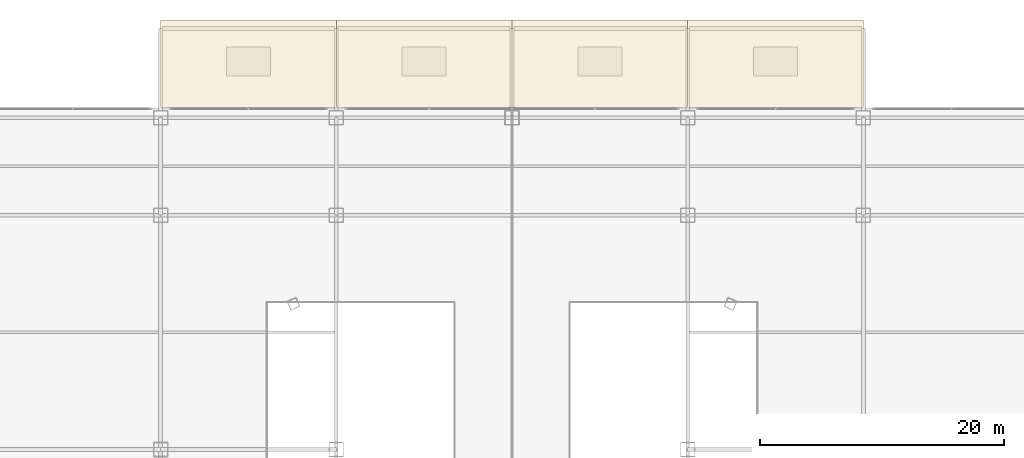
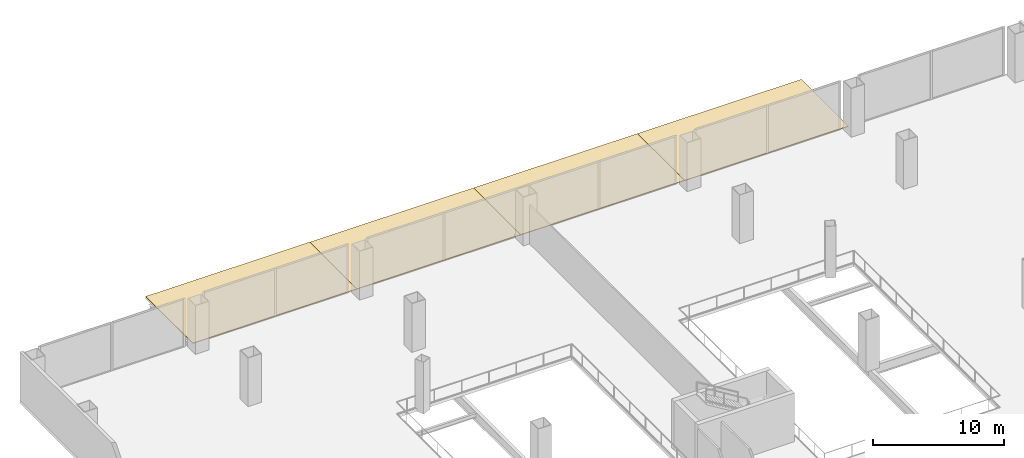
# One storey, part 42 of 42: 4 coverings.
"""IFC4 building model written with IfcOpenShell, lengths in metres."""

import ifcopenshell
import ifcopenshell.guid

model = None  # the IFC model being written
_history = None  # IfcOwnerHistory: only IFC2X3 demands one
_inside = {}  # id of a spatial element -> (the spatial element, [elements in it])
_under = {}  # id of a project, library or spatial element -> (it, [spatial elements below it])
_declared = {}  # id of a project -> (the project, [libraries it declares])
_typed = {}  # id of a type object -> (the type object, [elements of that type])
_made_of = {}  # id of a material, layer set ... -> (it, [elements and type objects made of it])


def new_model(schema):
    """Start an empty IFC model of exactly this schema.

    Asked for "IFC4X3", IfcOpenShell would pick the latest addendum, in which some entities
    have other attributes; the version numbers below select the first issue.
    IFC2X3 requires an IfcOwnerHistory on every rooted entity: one is made here for all.
    """
    global model, _history
    if schema == "IFC4X3":
        model = ifcopenshell.file(schema_version=(4, 3, 0, 0))
    else:
        model = ifcopenshell.file(schema=schema)
    _inside.clear()
    _under.clear()
    _declared.clear()
    _typed.clear()
    _made_of.clear()
    _history = None
    if model.schema == "IFC2X3":
        org = make("IfcOrganization", Name="unknown")
        user = make(
            "IfcPersonAndOrganization",
            ThePerson=make("IfcPerson", FamilyName="unknown"),
            TheOrganization=org,
        )
        app = make(
            "IfcApplication",
            ApplicationDeveloper=org,
            Version="unknown",
            ApplicationFullName="unknown",
            ApplicationIdentifier="unknown",
        )
        _history = make(
            "IfcOwnerHistory",
            OwningUser=user,
            OwningApplication=app,
            ChangeAction="ADDED",
            CreationDate=0,
        )
    return model


def make(cls, **values):
    """One entity of the class cls with the attributes given. An attribute that is None is left unset."""
    return model.create_entity(
        cls, **{name: value for name, value in values.items() if value is not None}
    )


def rooted(cls, **values):
    """An entity with a GlobalId (a new one), such as an element, a storey or a relation."""
    return make(cls, GlobalId=ifcopenshell.guid.new(), OwnerHistory=_history, **values)


def si_unit(unit_type, name, prefix=None):
    """IfcSIUnit, for example si_unit("LENGTHUNIT", "METRE", prefix="MILLI")."""
    return make("IfcSIUnit", UnitType=unit_type, Prefix=prefix, Name=name)


def assignment(units):
    """IfcUnitAssignment: the units of a project."""
    return None if units is None else make("IfcUnitAssignment", Units=units)


def point(xyz):
    """IfcCartesianPoint."""
    return None if xyz is None else make("IfcCartesianPoint", Coordinates=xyz)


def direction(xyz):
    """IfcDirection."""
    return None if xyz is None else make("IfcDirection", DirectionRatios=xyz)


def frame(location, z_axis=None, x_axis=None):
    """IfcAxis2Placement3D, a coordinate frame: its origin and axes. An axis left out is left unset."""
    return make(
        "IfcAxis2Placement3D",
        Location=point(location),
        Axis=direction(z_axis),
        RefDirection=direction(x_axis),
    )


def origin():
    """The frame at (0, 0, 0) with its axes left unset."""
    return frame((0.0, 0.0, 0.0))


def place(relative_to, where):
    """IfcLocalPlacement: puts the frame where relative to a parent placement (None: the world)."""
    return make(
        "IfcLocalPlacement", PlacementRelTo=relative_to, RelativePlacement=where
    )


def context(
    kind, dimensions, precision=None, world=None, true_north=None, identifier=None
):
    """IfcGeometricRepresentationContext, for example the 3D "Model" context."""
    return make(
        "IfcGeometricRepresentationContext",
        ContextIdentifier=identifier,
        ContextType=kind,
        CoordinateSpaceDimension=dimensions,
        Precision=precision,
        WorldCoordinateSystem=world,
        TrueNorth=true_north,
    )


def subcontext(parent, identifier, kind, view, scale=None):
    """IfcGeometricRepresentationSubContext, for example "Body" below "Model"."""
    return make(
        "IfcGeometricRepresentationSubContext",
        ContextIdentifier=identifier,
        ContextType=kind,
        ParentContext=parent,
        TargetScale=scale,
        TargetView=view,
    )


def project(units=None, contexts=None):
    """IfcProject with its units and contexts."""
    return rooted(
        "IfcProject",
        Name="project",
        RepresentationContexts=contexts,
        UnitsInContext=assignment(units),
    )


def spatial(cls, under=None, at=None, **own):
    """A site, building, storey or space (cls), placed at a placement, below another one or the project."""
    s = rooted(cls, ObjectPlacement=at, **own)
    if under is not None:
        _under.setdefault(under.id(), (under, []))[1].append(s)
    return s


def polyline(points):
    """IfcPolyline through the points."""
    return make("IfcPolyline", Points=[point(p) for p in points])


def outline(outer, holes=None, kind="AREA"):
    """IfcArbitraryClosedProfileDef: a profile drawn as a closed curve; with holes, ...WithVoids."""
    if holes is None:
        return make("IfcArbitraryClosedProfileDef", ProfileType=kind, OuterCurve=outer)
    return make(
        "IfcArbitraryProfileDefWithVoids",
        ProfileType=kind,
        OuterCurve=outer,
        InnerCurves=holes,
    )


def extrude(swept, where, along, depth):
    """IfcExtrudedAreaSolid: the profile swept, set in the frame where, extruded along a direction by depth."""
    return make(
        "IfcExtrudedAreaSolid",
        SweptArea=swept,
        Position=where,
        ExtrudedDirection=direction(along),
        Depth=depth,
    )


def shape(context_of_items, identifier, shape_type, items):
    """IfcShapeRepresentation: the items that make up one representation, for example the "Body"."""
    return make(
        "IfcShapeRepresentation",
        ContextOfItems=context_of_items,
        RepresentationIdentifier=identifier,
        RepresentationType=shape_type,
        Items=items,
    )


def material(Name=None, Category=None):
    """IfcMaterial."""
    return make("IfcMaterial", Name=Name, Category=Category)


def layer(
    of_material, thickness, ventilated=None, Name=None, Category=None, Priority=None
):
    """IfcMaterialLayer: one layer of a wall or slab, of a material (None: an air gap)."""
    return make(
        "IfcMaterialLayer",
        Material=of_material,
        LayerThickness=thickness,
        IsVentilated=ventilated,
        Name=Name,
        Category=Category,
        Priority=Priority,
    )


def layer_set(layers, Name=None):
    """IfcMaterialLayerSet."""
    return make("IfcMaterialLayerSet", MaterialLayers=layers, LayerSetName=Name)


def made_of(thing, what):
    """Note that an element or type object is made of a material, layer set ...; save() writes the relation."""
    if what is not None:
        _made_of.setdefault(what.id(), (what, []))[1].append(thing)
    return thing


def type_object(cls, material=None, **own):
    """A type object (cls), such as IfcWallType, which elements share."""
    return made_of(rooted(cls, **own), material)


def element(
    cls,
    number,
    at=None,
    inside=None,
    cuts=None,
    type_object=None,
    material=None,
    context=None,
    identifier="Body",
    shape_type=None,
    held_by="IfcProductDefinitionShape",
    body=None,
    shapes=None,
    **own,
):
    """One element of the class cls, such as IfcWall. Its Tag is "e" and its number.

    at: its placement. inside: the storey or other place that contains it. cuts: it is an
    opening in that element (IfcRelVoidsElement). A single representation is given by context,
    identifier, shape_type and body (its items); several are given by shapes. held_by: the class
    of the entity that holds the representations. save() writes the other relations.
    """
    e = rooted(cls, Tag="e%d" % number, ObjectPlacement=at, **own)
    if body is not None:
        shapes = [shape(context, identifier, shape_type, body)]
    if shapes is not None:
        e.Representation = make(held_by, Representations=shapes)
    if inside is not None:
        _inside.setdefault(inside.id(), (inside, []))[1].append(e)
    if cuts is not None:
        rooted(
            "IfcRelVoidsElement", RelatingBuildingElement=cuts, RelatedOpeningElement=e
        )
    if type_object is not None:
        _typed.setdefault(type_object.id(), (type_object, []))[1].append(e)
    return made_of(e, material)


def aggregate(whole, parts):
    """IfcRelAggregates: a whole, such as a stair, and the parts it consists of."""
    return rooted("IfcRelAggregates", RelatingObject=whole, RelatedObjects=parts)


def save(model, path):
    """Write the relations noted so far, then the file.

    IfcRelAggregates (storeys below a building ...), IfcRelContainedInSpatialStructure (elements
    in a storey), IfcRelDefinesByType, IfcRelAssociatesMaterial and IfcRelDeclares: one each for
    every whole, place, type object, material and project.
    """
    for whole, parts in _under.values():
        aggregate(whole, parts)
    for where, things in _inside.values():
        rooted(
            "IfcRelContainedInSpatialStructure",
            RelatedElements=things,
            RelatingStructure=where,
        )
    for kind, things in _typed.values():
        rooted("IfcRelDefinesByType", RelatedObjects=things, RelatingType=kind)
    for what, things in _made_of.values():
        rooted("IfcRelAssociatesMaterial", RelatedObjects=things, RelatingMaterial=what)
    for by, libraries in _declared.values():
        rooted("IfcRelDeclares", RelatingContext=by, RelatedDefinitions=libraries)
    model.write(path)


model = new_model("IFC4")

# Units and contexts
model_context = context("Model", 3, precision=1e-05, world=origin(), true_north=direction((0.0, 1.0)))
body_context = subcontext(model_context, "Body", "Model", "MODEL_VIEW")
ifc_project = project(units=[si_unit("LENGTHUNIT", "METRE"), si_unit("AREAUNIT", "SQUARE_METRE"), si_unit("VOLUMEUNIT", "CUBIC_METRE"), si_unit("PLANEANGLEUNIT", "RADIAN"), si_unit("MASSUNIT", "GRAM", prefix="KILO"), si_unit("THERMODYNAMICTEMPERATUREUNIT", "KELVIN"), si_unit("POWERUNIT", "WATT")], contexts=[model_context])

# Site, building, storey
site_placement = place(None, origin())
site = spatial("IfcSite", under=ifc_project, at=site_placement, CompositionType="ELEMENT")
building_placement = place(site_placement, origin())
building = spatial("IfcBuilding", under=site, at=building_placement, Name="Yunzhuo Pagoda Commons", CompositionType="ELEMENT")
storey_placement = place(building_placement, frame((0.0, 0.0, 4.800048828125)))
storey = spatial("IfcBuildingStorey", under=building, at=storey_placement, Name="L02", CompositionType="ELEMENT", Elevation=4.800048828125)

# Coverings
ifc_material = material(Name="SBS modified bitumen roofing membrane")
ifc_layer = layer(ifc_material, 0.050048828125)
ifc_layer_set = layer_set([ifc_layer], Name="SBS modified bitumen roofing membrane")
covering_type = type_object("IfcCoveringType", Name="COV-RF1 Waterproof SBS Bitumen Roof Membrane", PredefinedType="ROOFING", material=ifc_layer_set)
covering_1_placement = place(storey_placement, frame((0.0, 0.0, -0.080078125)))
element("IfcCovering", 1, at=covering_1_placement, inside=storey, type_object=covering_type, Name="North canopy waterproof membrane 1", PredefinedType="ROOFING", context=body_context, shape_type="SweptSolid", body=[
    extrude(outline(polyline([(19.199951171875, 90.02001953125), (33.60009765625, 90.02001953125), (33.60009765625, 97.199951171875), (19.199951171875, 97.199951171875), (19.199951171875, 90.02001953125)])), origin(), (0.0, 0.0, 1.0), 0.050048828125),
])
covering_2_placement = place(storey_placement, frame((0.0, 0.0, -0.080078125)))
element("IfcCovering", 2, at=covering_2_placement, inside=storey, type_object=covering_type, Name="North canopy waterproof membrane 2", PredefinedType="ROOFING", context=body_context, shape_type="SweptSolid", body=[
    extrude(outline(polyline([(33.60009765625, 90.02001953125), (48.0, 90.02001953125), (48.0, 97.199951171875), (33.60009765625, 97.199951171875), (33.60009765625, 90.02001953125)])), origin(), (0.0, 0.0, 1.0), 0.050048828125),
])
covering_3_placement = place(storey_placement, frame((0.0, 0.0, -0.080078125)))
element("IfcCovering", 3, at=covering_3_placement, inside=storey, type_object=covering_type, Name="North canopy waterproof membrane 3", PredefinedType="ROOFING", context=body_context, shape_type="SweptSolid", body=[
    extrude(outline(polyline([(48.0, 90.02001953125), (62.39990234375, 90.02001953125), (62.39990234375, 97.199951171875), (48.0, 97.199951171875), (48.0, 90.02001953125)])), origin(), (0.0, 0.0, 1.0), 0.050048828125),
])
covering_4_placement = place(storey_placement, frame((0.0, 0.0, -0.080078125)))
element("IfcCovering", 4, at=covering_4_placement, inside=storey, type_object=covering_type, Name="North canopy waterproof membrane 4", PredefinedType="ROOFING", context=body_context, shape_type="SweptSolid", body=[
    extrude(outline(polyline([(62.39990234375, 90.02001953125), (76.800048828125, 90.02001953125), (76.800048828125, 97.199951171875), (62.39990234375, 97.199951171875), (62.39990234375, 90.02001953125)])), origin(), (0.0, 0.0, 1.0), 0.050048828125),
])

save(model, "model.ifc")
